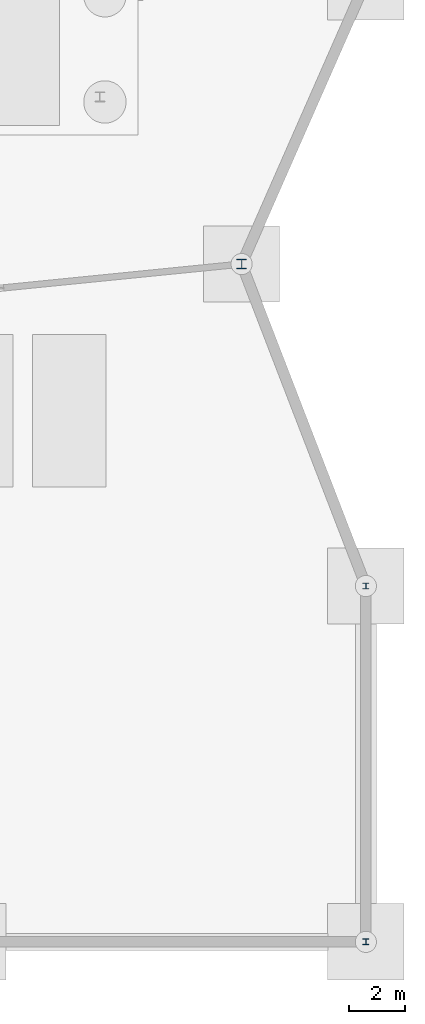
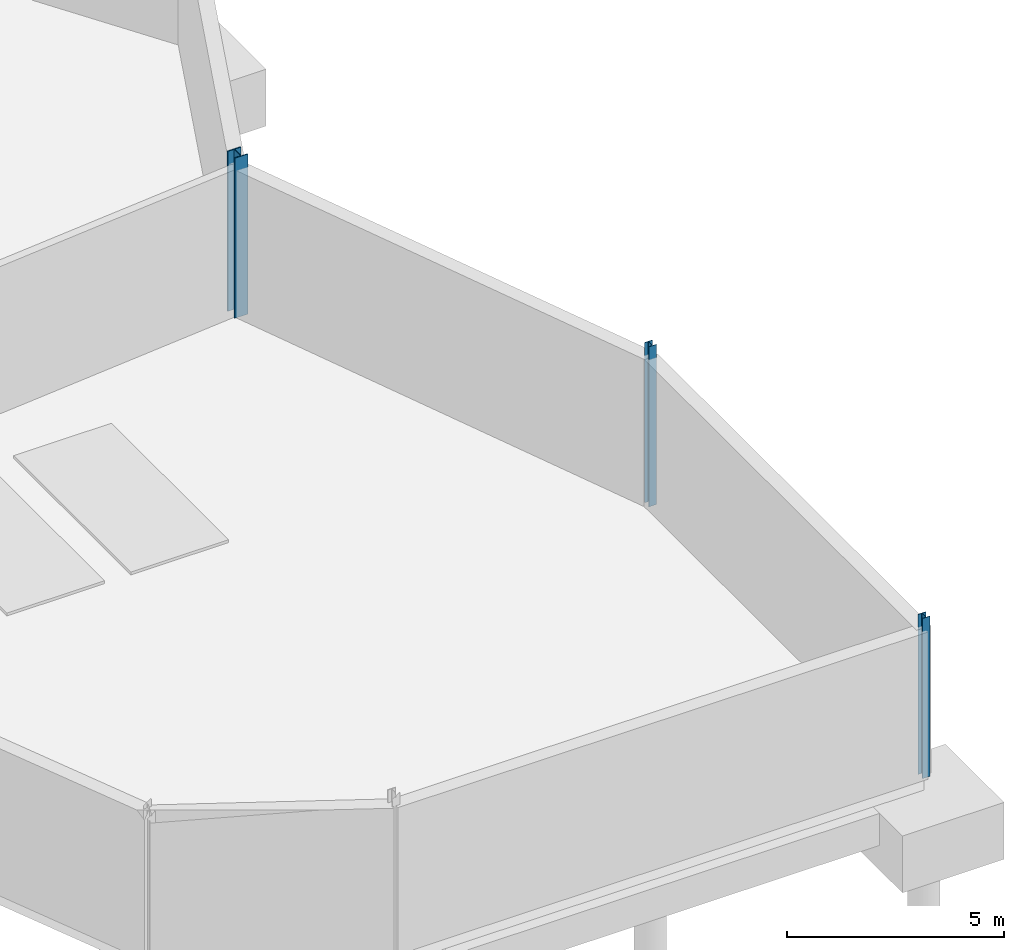
# One storey, part 22 of 37: 3 columns.
"""IFC4 building model written with IfcOpenShell, lengths in metres."""

from ifc_helpers import new_model, si_unit, direction, frame, origin, origin_2d, place, context, subcontext, project, spatial, i_section, extrude, material, material_profile, profile_set, type_object, element, save


model = new_model("IFC4")

# Units and contexts
model_context = context("Model", 3, precision=1e-05, world=origin(), true_north=direction((0.0, 1.0)))
body_context = subcontext(model_context, "Body", "Model", "MODEL_VIEW")
ifc_project = project(units=[si_unit("LENGTHUNIT", "METRE"), si_unit("AREAUNIT", "SQUARE_METRE"), si_unit("VOLUMEUNIT", "CUBIC_METRE"), si_unit("PLANEANGLEUNIT", "RADIAN"), si_unit("MASSUNIT", "GRAM", prefix="KILO")], contexts=[model_context])

# Site, building, storey
site_placement = place(None, origin())
site = spatial("IfcSite", under=ifc_project, at=site_placement, CompositionType="ELEMENT")
building_placement = place(site_placement, origin())
building = spatial("IfcBuilding", under=site, at=building_placement, Name="Tameran Prism Museum", CompositionType="ELEMENT")
storey_placement = place(building_placement, frame((0.0, 0.0, -4.5)))
storey = spatial("IfcBuildingStorey", under=building, at=storey_placement, Name="B1", CompositionType="ELEMENT", Elevation=-4.5)

# Columns
ifc_material_1 = material(Name="Steel Grade 300PLUS (300 MPa)", Category="steel")
ifc_material_profile_1 = material_profile(ifc_material_1, i_section(OverallWidth=0.205078125, OverallDepth=0.2099609375, WebThickness=0.00927734375, FlangeThickness=0.01416015625, FilletRadius=0.01025390625, at=origin_2d()))
ifc_profile_set_1 = profile_set([ifc_material_profile_1])
column_type_1 = type_object("IfcColumnType", Name="COL-UC200", PredefinedType="COLUMN", material=ifc_profile_set_1)
for number, where, z_axis, x_axis, name in (
    (1, (166.39990234375, 0.0, 0.0), (0.0, 0.0, 1.0), (1.0, 0.0, 0.0), "Column CV-68 B1"),
    (2, (166.39990234375, 12.60009765625, 0.0), (0.0, 0.0, 1.0), (1.0, 0.0, 0.0), "Column CV-69 B1"),
):
    element("IfcColumn", number, at=place(storey_placement, frame(where, z_axis=z_axis, x_axis=x_axis)), inside=storey, type_object=column_type_1, Name=name, PredefinedType="COLUMN", context=body_context, shape_type="SweptSolid", body=[
        extrude(i_section(OverallWidth=0.205078125, OverallDepth=0.2099609375, WebThickness=0.00927734375, FlangeThickness=0.01416015625, FilletRadius=0.01025390625, at=origin_2d()), origin(), (0.0, 0.0, 1.0), 4.5),
    ])
ifc_material_2 = material(Name="Steel Grade 350 (350 MPa)", Category="steel")
ifc_material_profile_2 = material_profile(ifc_material_2, i_section(OverallWidth=0.35009765625, OverallDepth=0.35009765625, WebThickness=0.02001953125, FlangeThickness=0.028076171875, at=origin_2d()))
ifc_profile_set_2 = profile_set([ifc_material_profile_2])
column_type_2 = type_object("IfcColumnType", Name="COL-WC350", PredefinedType="COLUMN", material=ifc_profile_set_2)
column_placement = place(storey_placement, frame((162.0, 24.0, 0.0), z_axis=(0.0, 0.0, 1.0), x_axis=(1.0, 0.0, 0.0)))
element("IfcColumn", 3, at=column_placement, inside=storey, type_object=column_type_2, Name="Column CV-66 B1", PredefinedType="COLUMN", context=body_context, shape_type="SweptSolid", body=[
    extrude(i_section(OverallWidth=0.35009765625, OverallDepth=0.35009765625, WebThickness=0.02001953125, FlangeThickness=0.028076171875, at=origin_2d()), origin(), (0.0, 0.0, 1.0), 4.5),
])

save(model, "model.ifc")
